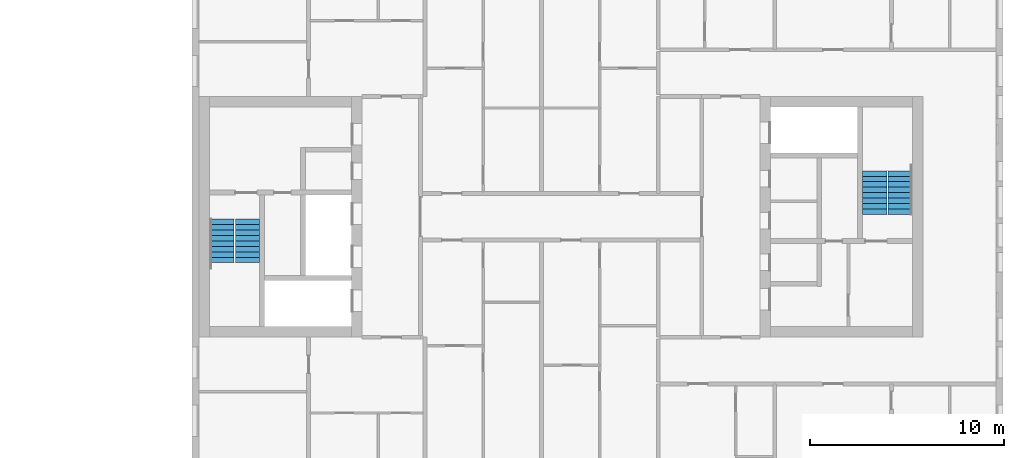
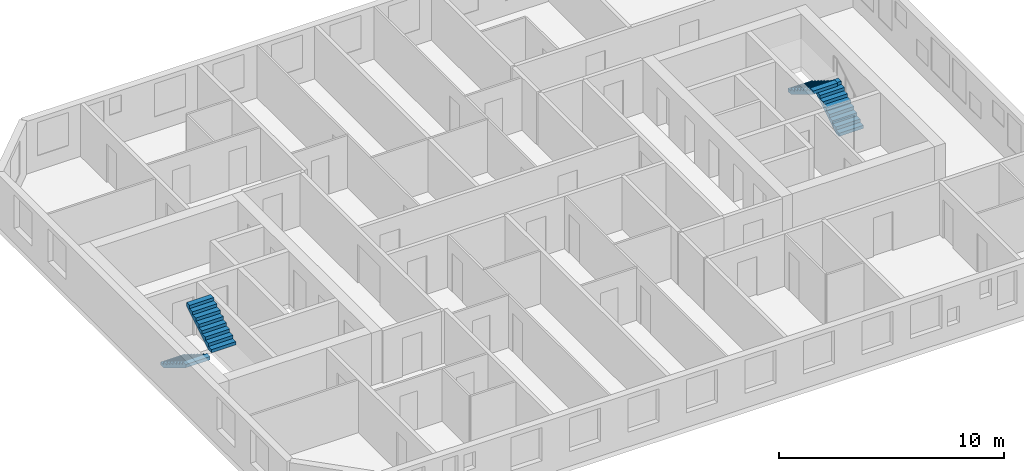
# One storey, part 15 of 17: 4 stair flights, 2 elements without a shape of their own.
"""IFC4 building model written with IfcOpenShell, lengths in metres."""

from ifc_helpers import new_model, si_unit, direction, frame, origin, place, context, subcontext, project, spatial, polyline, outline, extrude, material, type_object, element, aggregate, save


model = new_model("IFC4")

# Units and contexts
model_context = context("Model", 3, precision=1e-05, world=origin(), true_north=direction((0.0, 1.0)))
body_context = subcontext(model_context, "Body", "Model", "MODEL_VIEW")
ifc_project = project(units=[si_unit("LENGTHUNIT", "METRE"), si_unit("AREAUNIT", "SQUARE_METRE"), si_unit("VOLUMEUNIT", "CUBIC_METRE"), si_unit("PLANEANGLEUNIT", "RADIAN"), si_unit("MASSUNIT", "GRAM", prefix="KILO")], contexts=[model_context])

# Site, building, storey
site_placement = place(None, origin())
site = spatial("IfcSite", under=ifc_project, at=site_placement, CompositionType="ELEMENT")
building_placement = place(site_placement, origin())
building = spatial("IfcBuilding", under=site, at=building_placement, Name="Tuart Gate Housing", CompositionType="ELEMENT")
storey_placement = place(building_placement, frame((0.0, 0.0, 126.800048828125)))
storey = spatial("IfcBuildingStorey", under=building, at=storey_placement, Name="L35", CompositionType="ELEMENT", Elevation=126.800048828125)

# Stair, stair flights
ifc_material_1 = material(Name="Concrete C40", Category="concrete")
stair_type = type_object("IfcStairType", Name="Core stair 1250", PredefinedType="HALF_TURN_STAIR", material=ifc_material_1)
stair_1_placement = place(storey_placement, origin())
stair_1 = element("IfcStair", 1, at=stair_1_placement, inside=storey, type_object=stair_type, Name="Stair SB1", PredefinedType="HALF_TURN_STAIR")
ifc_material_2 = material(Name="Concrete C40", Category="concrete")
stair_flight_type = type_object("IfcStairFlightType", Name="Stair flight 1250, 9 risers 172 x 280", PredefinedType="STRAIGHT", material=ifc_material_2)
stair_flight_1_placement = place(storey_placement, frame((132.534912109375, 69.875, 0.0), z_axis=(0.0, 0.0, 1.0), x_axis=(0.0, -1.0, 0.0)))
stair_flight_1 = element("IfcStairFlight", 2, at=stair_flight_1_placement, type_object=stair_flight_type, Name="SB1 flight 1", NumberOfRisers=9, NumberOfTreads=8, PredefinedType="STRAIGHT", RiserHeight=0.172222222, TreadLength=0.28, context=body_context, shape_type="SweptSolid", body=[
    extrude(outline(polyline([(0.0, 0.0), (0.0, 0.172119140625), (0.280029296875, 0.172119140625), (0.280029296875, 0.344482421875), (0.56005859375, 0.344482421875), (0.56005859375, 0.5166015625), (0.840087890625, 0.5166015625), (0.840087890625, 0.68896484375), (1.1201171875, 0.68896484375), (1.1201171875, 0.861083984375), (1.39990234375, 0.861083984375), (1.39990234375, 1.033447265625), (1.679931640625, 1.033447265625), (1.679931640625, 1.20556640625), (1.9599609375, 1.20556640625), (1.9599609375, 1.377685546875), (2.239990234375, 1.377685546875), (2.239990234375, 1.550048828125), (2.239990234375, 1.201904296875), (0.2861328125, 0.0), (0.0, 0.0)])), frame((0.0, 0.625, 0.0), z_axis=(0.0, -1.0, 0.0), x_axis=(1.0, 0.0, 0.0)), (0.0, 0.0, 1.0), 1.25),
])
stair_flight_2_placement = place(storey_placement, frame((133.860107421875, 67.635009765625, 1.550048828125), z_axis=(0.0, 0.0, 1.0), x_axis=(0.0, 1.0, 0.0)))
stair_flight_2 = element("IfcStairFlight", 3, at=stair_flight_2_placement, type_object=stair_flight_type, Name="SB1 flight 2", NumberOfRisers=9, NumberOfTreads=8, PredefinedType="STRAIGHT", RiserHeight=0.172222222, TreadLength=0.28, context=body_context, shape_type="SweptSolid", body=[
    extrude(outline(polyline([(0.0, 0.0), (0.0, 0.172119140625), (0.280029296875, 0.172119140625), (0.280029296875, 0.344482421875), (0.56005859375, 0.344482421875), (0.56005859375, 0.5166015625), (0.840087890625, 0.5166015625), (0.840087890625, 0.68896484375), (1.1201171875, 0.68896484375), (1.1201171875, 0.861083984375), (1.39990234375, 0.861083984375), (1.39990234375, 1.033447265625), (1.679931640625, 1.033447265625), (1.679931640625, 1.20556640625), (1.9599609375, 1.20556640625), (1.9599609375, 1.377685546875), (2.239990234375, 1.377685546875), (2.239990234375, 1.550048828125), (2.239990234375, 1.201904296875), (0.2861328125, 0.0), (0.0, 0.0)])), frame((0.0, 0.625, 0.0), z_axis=(0.0, -1.0, 0.0), x_axis=(1.0, 0.0, 0.0)), (0.0, 0.0, 1.0), 1.25),
])
aggregate(stair_1, [stair_flight_1, stair_flight_2])

stair_2_placement = place(storey_placement, origin())
stair_2 = element("IfcStair", 4, at=stair_2_placement, inside=storey, type_object=stair_type, Name="Stair SB2", PredefinedType="HALF_TURN_STAIR")
stair_flight_3_placement = place(storey_placement, frame((167.465087890625, 70.125, 0.0), z_axis=(0.0, 0.0, 1.0), x_axis=(0.0, 1.0, 0.0)))
stair_flight_3 = element("IfcStairFlight", 5, at=stair_flight_3_placement, type_object=stair_flight_type, Name="SB2 flight 1", NumberOfRisers=9, NumberOfTreads=8, PredefinedType="STRAIGHT", RiserHeight=0.172222222, TreadLength=0.28, context=body_context, shape_type="SweptSolid", body=[
    extrude(outline(polyline([(0.0, 0.0), (0.0, 0.172119140625), (0.280029296875, 0.172119140625), (0.280029296875, 0.344482421875), (0.56005859375, 0.344482421875), (0.56005859375, 0.5166015625), (0.840087890625, 0.5166015625), (0.840087890625, 0.68896484375), (1.1201171875, 0.68896484375), (1.1201171875, 0.861083984375), (1.39990234375, 0.861083984375), (1.39990234375, 1.033447265625), (1.679931640625, 1.033447265625), (1.679931640625, 1.20556640625), (1.9599609375, 1.20556640625), (1.9599609375, 1.377685546875), (2.239990234375, 1.377685546875), (2.239990234375, 1.550048828125), (2.239990234375, 1.201904296875), (0.2861328125, 0.0), (0.0, 0.0)])), frame((0.0, 0.625, 0.0), z_axis=(0.0, -1.0, 0.0), x_axis=(1.0, 0.0, 0.0)), (0.0, 0.0, 1.0), 1.25),
])
stair_flight_4_placement = place(storey_placement, frame((166.139892578125, 72.364990234375, 1.550048828125), z_axis=(0.0, 0.0, 1.0), x_axis=(0.0, -1.0, 0.0)))
stair_flight_4 = element("IfcStairFlight", 6, at=stair_flight_4_placement, type_object=stair_flight_type, Name="SB2 flight 2", NumberOfRisers=9, NumberOfTreads=8, PredefinedType="STRAIGHT", RiserHeight=0.172222222, TreadLength=0.28, context=body_context, shape_type="SweptSolid", body=[
    extrude(outline(polyline([(0.0, 0.0), (0.0, 0.172119140625), (0.280029296875, 0.172119140625), (0.280029296875, 0.344482421875), (0.56005859375, 0.344482421875), (0.56005859375, 0.5166015625), (0.840087890625, 0.5166015625), (0.840087890625, 0.68896484375), (1.1201171875, 0.68896484375), (1.1201171875, 0.861083984375), (1.39990234375, 0.861083984375), (1.39990234375, 1.033447265625), (1.679931640625, 1.033447265625), (1.679931640625, 1.20556640625), (1.9599609375, 1.20556640625), (1.9599609375, 1.377685546875), (2.239990234375, 1.377685546875), (2.239990234375, 1.550048828125), (2.239990234375, 1.201904296875), (0.2861328125, 0.0), (0.0, 0.0)])), frame((0.0, 0.625, 0.0), z_axis=(0.0, -1.0, 0.0), x_axis=(1.0, 0.0, 0.0)), (0.0, 0.0, 1.0), 1.25),
])
aggregate(stair_2, [stair_flight_3, stair_flight_4])

save(model, "model.ifc")
